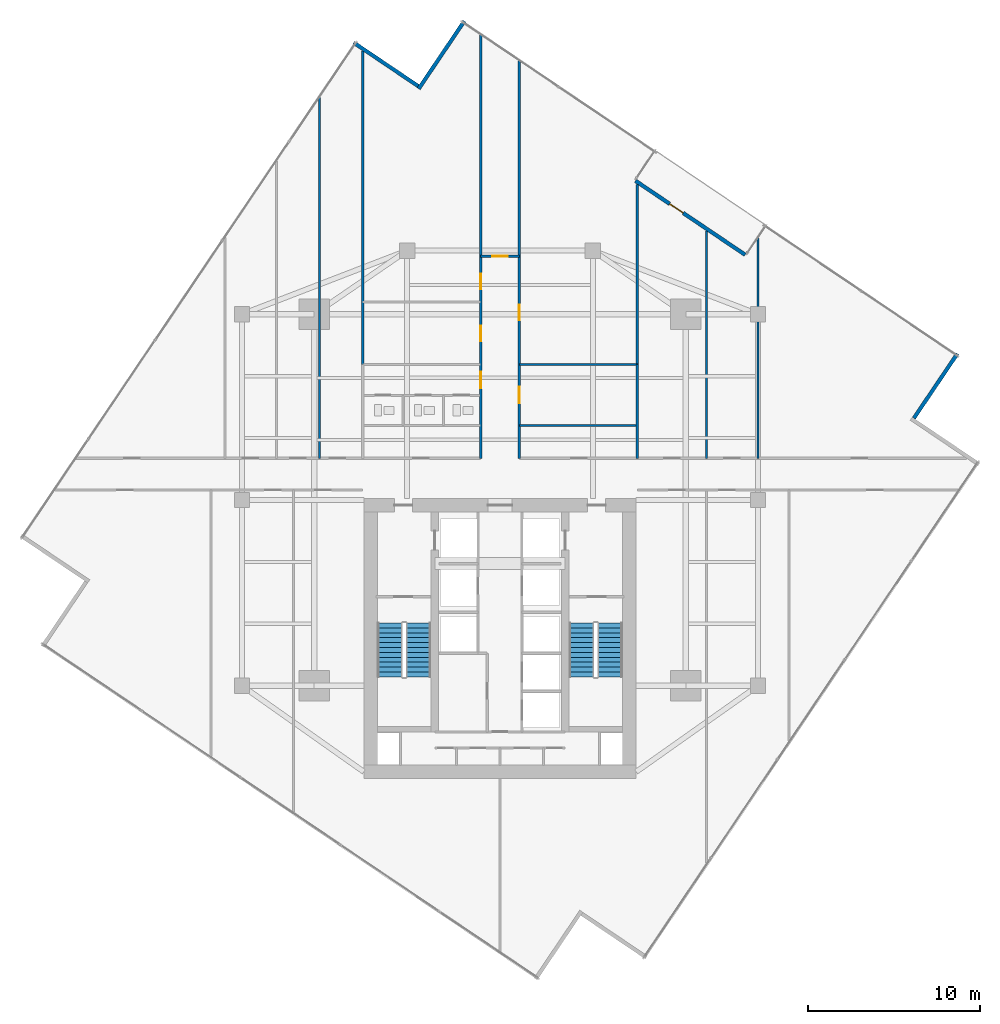
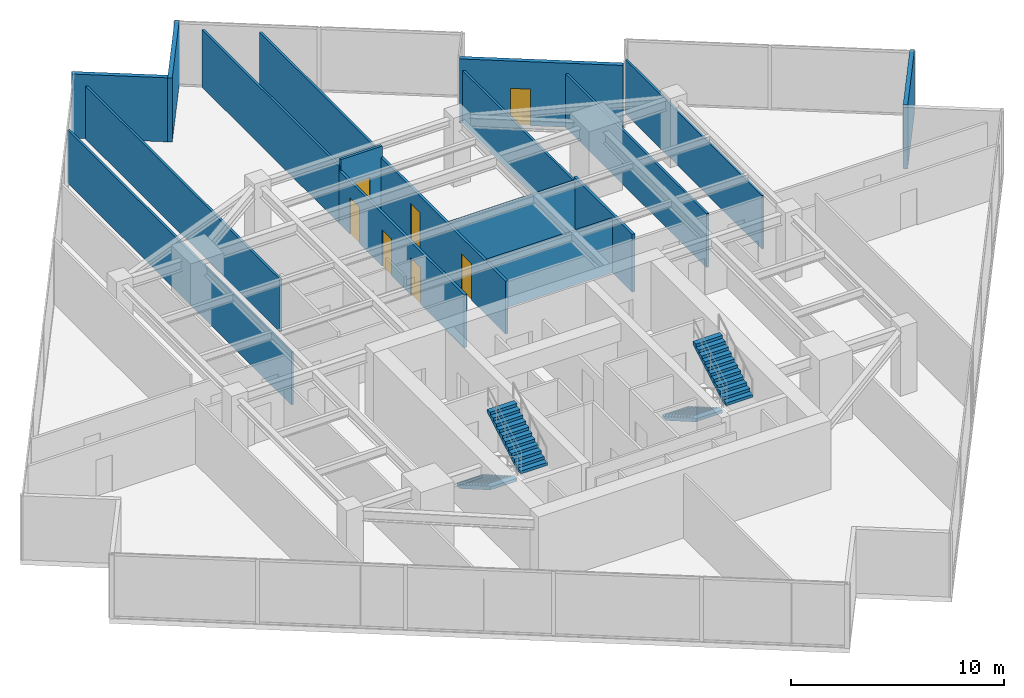
# One storey, part 25 of 27: 17 walls, 7 doors, 4 stair flights, 7 openings, 2 elements without a shape of their own.
"""IFC4 building model written with IfcOpenShell, lengths in metres."""

from ifc_helpers import new_model, si_unit, direction, frame, frame_2d, origin, place, context, subcontext, project, spatial, polyline, rectangle, outline, extrude, material, layer, layer_set, type_object, element, fill, aggregate, save


model = new_model("IFC4")

# Units and contexts
model_context = context("Model", 3, precision=1e-05, world=origin(), true_north=direction((0.0, 1.0)))
body_context = subcontext(model_context, "Body", "Model", "MODEL_VIEW")
ifc_project = project(units=[si_unit("LENGTHUNIT", "METRE"), si_unit("AREAUNIT", "SQUARE_METRE"), si_unit("VOLUMEUNIT", "CUBIC_METRE"), si_unit("PLANEANGLEUNIT", "RADIAN"), si_unit("MASSUNIT", "GRAM", prefix="KILO")], contexts=[model_context])

# Site, building, storey
site_placement = place(None, origin())
site = spatial("IfcSite", under=ifc_project, at=site_placement, CompositionType="ELEMENT")
building_placement = place(site_placement, origin())
building = spatial("IfcBuilding", under=site, at=building_placement, Name="Krantzveldt Concourse Tower", CompositionType="ELEMENT")
storey_placement = place(building_placement, frame((0.0, 0.0, 185.699951171875)))
storey = spatial("IfcBuildingStorey", under=building, at=storey_placement, Name="L45", CompositionType="ELEMENT", Elevation=185.699951171875)

# Walls
ifc_material_1 = material(Name="Anodised aluminium 6063-T6", Category="aluminium")
ifc_layer_1 = layer(ifc_material_1, 0.219970703125, Name="Anodised aluminium 6063-T6", Category="aluminium")
ifc_layer_set_1 = layer_set([ifc_layer_1], Name="Anodised aluminium 6063-T6 (WL-EXT-NOTCH220)")
wall_type_1 = type_object("IfcWallType", Name="WL-EXT-NOTCH220", PredefinedType="ELEMENTEDWALL", material=ifc_layer_set_1)
for number, where, z_axis, x_axis, name in (
    (1, (31.2431640625, 50.763916015625, 0.0), (0.0, 0.0, 1.0), (-0.829025013232, 0.559211522982, 0.0), "EW-L45-NCH00"),
    (2, (60.06396484375, 31.456787109375, 0.0), (0.0, 0.0, 1.0), (0.559211522982, 0.829025013232, 0.0), "EW-L45-NCH09"),
):
    element("IfcWall", number, at=place(storey_placement, frame(where, z_axis=z_axis, x_axis=x_axis)), inside=storey, type_object=wall_type_1, Name=name, PredefinedType="ELEMENTEDWALL", context=body_context, shape_type="SweptSolid", body=[
        extrude(rectangle(XDim=4.525146484375, YDim=0.219970703125, at=frame_2d((2.2626953125, 0.0))), origin(), (0.0, 0.0, 1.0), 3.670166015625),
    ])

# Wall, opening, door
wall_1_placement = place(storey_placement, frame((43.878662109375, 45.2568359375, 0.0), z_axis=(0.0, 0.0, 1.0), x_axis=(0.829039271094, -0.559190385274, 0.0)))
wall_1 = element("IfcWall", 3, at=wall_1_placement, inside=storey, type_object=wall_type_1, Name="EW-L45-TSLOT", PredefinedType="ELEMENTEDWALL", context=body_context, shape_type="SweptSolid", body=[
    extrude(rectangle(XDim=7.690185546875, YDim=0.219970703125, at=frame_2d((3.84521484375, 0.0))), origin(), (0.0, 0.0, 1.0), 3.670166015625),
])
opening_1_placement = place(wall_1_placement, frame((2.396728515625, 0.0, 0.0)))
opening_1 = element("IfcOpeningElement", 4, at=opening_1_placement, cuts=wall_1, Name="Opening D-EX95", PredefinedType="OPENING", context=body_context, shape_type="SweptSolid", body=[
    extrude(rectangle(XDim=0.949951171875, YDim=2.10009765625, at=frame_2d((0.47509765625, 1.050048828125))), frame((0.0, 0.1201171875, 0.0), z_axis=(0.0, -1.0, 0.0), x_axis=(1.0, 0.0, 0.0)), (0.0, 0.0, 1.0), 0.239990234375),
])
door_type_1 = type_object("IfcDoorType", Name="DR-EXT-950", OperationType="SINGLE_SWING_LEFT", PredefinedType="DOOR", material=ifc_material_1)
door_1_placement = place(opening_1_placement, origin())
door_1 = element("IfcDoor", 5, at=door_1_placement, inside=storey, type_object=door_type_1, Name="DR-L45-TERR", OperationType="SINGLE_SWING_LEFT", OverallHeight=2.10009765625, OverallWidth=0.949951171875, PredefinedType="DOOR", context=body_context, shape_type="SweptSolid", body=[
    extrude(rectangle(XDim=0.949951171875, YDim=2.10009765625, at=frame_2d((0.47509765625, 1.050048828125))), frame((0.0, 0.02490234375, 0.0), z_axis=(0.0, -1.0, 0.0), x_axis=(1.0, 0.0, 0.0)), (0.0, 0.0, 1.0), 0.050048828125),
])
fill(opening_1, door_1)

# Walls
wall_2_placement = place(storey_placement, frame((33.92626953125, 54.545166015625, 0.0), z_axis=(0.0, 0.0, 1.0), x_axis=(-0.559180323614, -0.829046057637, 0.0)))
element("IfcWall", 6, at=wall_2_placement, inside=storey, type_object=wall_type_1, Name="EW-L45-NCH15", PredefinedType="ELEMENTEDWALL", context=body_context, shape_type="SweptSolid", body=[
    extrude(rectangle(XDim=4.7451171875, YDim=0.219970703125, at=frame_2d((2.37255859375, 0.0))), origin(), (0.0, 0.0, 1.0), 3.670166015625),
])
ifc_material_2 = material(Name="Fire-rated gypsum plasterboard on steel stud", Category="steel")
ifc_layer_2 = layer(ifc_material_2, 0.1201171875, Name="Fire-rated gypsum plasterboard on steel stud", Category="steel")
ifc_layer_set_2 = layer_set([ifc_layer_2], Name="Fire-rated gypsum plasterboard on steel stud (WL-PART-120)")
wall_type_2 = type_object("IfcWallType", Name="WL-PART-120", PredefinedType="PARTITIONING", material=ifc_layer_set_2)
wall_3_placement = place(storey_placement, frame((37.1201171875, 31.02001953125, 0.0), z_axis=(0.0, 0.0, 1.0), x_axis=(1.0, 0.0, 0.0)))
element("IfcWall", 7, at=wall_3_placement, inside=storey, type_object=wall_type_2, Name="WP-L45-ISMR", PredefinedType="PARTITIONING", context=body_context, shape_type="SweptSolid", body=[
    extrude(rectangle(XDim=6.85986328125, YDim=0.1201171875, at=frame_2d((3.429931640625, 0.0))), origin(), (0.0, 0.0, 1.0), 3.080078125),
])
wall_4_placement = place(storey_placement, frame((34.8798828125, 40.8798828125, 0.0), z_axis=(0.0, 0.0, 1.0), x_axis=(0.0, 1.0, 0.0)))
element("IfcWall", 8, at=wall_4_placement, inside=storey, type_object=wall_type_2, Name="WP-L45-NTL", PredefinedType="PARTITIONING", context=body_context, shape_type="SweptSolid", body=[
    extrude(rectangle(XDim=12.88330078125, YDim=0.1201171875, at=frame_2d((6.441650390625, 0.0))), origin(), (0.0, 0.0, 1.0), 3.280029296875),
])
wall_5_placement = place(storey_placement, frame((37.1201171875, 40.8798828125, 0.0), z_axis=(0.0, 0.0, 1.0), x_axis=(0.0, 1.0, 0.0)))
element("IfcWall", 9, at=wall_5_placement, inside=storey, type_object=wall_type_2, Name="WP-L45-NTR", PredefinedType="PARTITIONING", context=body_context, shape_type="SweptSolid", body=[
    extrude(rectangle(XDim=11.372314453125, YDim=0.1201171875, at=frame_2d((5.68603515625, 0.0))), origin(), (0.0, 0.0, 1.0), 3.280029296875),
])
wall_6_placement = place(storey_placement, frame((25.5, 29.1201171875, 0.0), z_axis=(0.0, 0.0, 1.0), x_axis=(0.0, 1.0, 0.0)))
element("IfcWall", 10, at=wall_6_placement, inside=storey, type_object=wall_type_2, Name="WP-L45-NWX3", PredefinedType="PARTITIONING", context=body_context, shape_type="SweptSolid", body=[
    extrude(rectangle(XDim=21.015625, YDim=0.1201171875, at=frame_2d((10.5078125, 0.0))), origin(), (0.0, 0.0, 1.0), 3.030029296875),
])
wall_7_placement = place(storey_placement, frame((28.02001953125, 34.580078125, 0.0), z_axis=(0.0, 0.0, 1.0), x_axis=(0.0, 1.0, 0.0)))
element("IfcWall", 11, at=wall_7_placement, inside=storey, type_object=wall_type_2, Name="WP-L45-ISWL2", PredefinedType="PARTITIONING", context=body_context, shape_type="SweptSolid", body=[
    extrude(rectangle(XDim=18.21923828125, YDim=0.1201171875, at=frame_2d((9.109619140625, 0.0))), origin(), (0.0, 0.0, 1.0), 3.030029296875),
])
wall_8_placement = place(storey_placement, frame((43.97998046875, 34.580078125, 0.0), z_axis=(0.0, 0.0, 1.0), x_axis=(0.0, 1.0, 0.0)))
element("IfcWall", 12, at=wall_8_placement, inside=storey, type_object=wall_type_2, Name="WP-L45-ISER2", PredefinedType="PARTITIONING", context=body_context, shape_type="SweptSolid", body=[
    extrude(rectangle(XDim=10.4697265625, YDim=0.1201171875, at=frame_2d((5.23486328125, 0.0))), origin(), (0.0, 0.0, 1.0), 3.030029296875),
])
wall_9_placement = place(storey_placement, frame((48.0, 29.1201171875, 0.0), z_axis=(0.0, 0.0, 1.0), x_axis=(0.0, 1.0, 0.0)))
element("IfcWall", 13, at=wall_9_placement, inside=storey, type_object=wall_type_2, Name="WP-L45-NEX1", PredefinedType="PARTITIONING", context=body_context, shape_type="SweptSolid", body=[
    extrude(rectangle(XDim=13.218017578125, YDim=0.1201171875, at=frame_2d((6.60888671875, 0.0))), origin(), (0.0, 0.0, 1.0), 3.080078125),
])
wall_10_placement = place(storey_placement, frame((51.0, 29.1201171875, 0.0), z_axis=(0.0, 0.0, 1.0), x_axis=(0.0, 1.0, 0.0)))
element("IfcWall", 14, at=wall_10_placement, inside=storey, type_object=wall_type_2, Name="WP-L45-NEX2", PredefinedType="PARTITIONING", context=body_context, shape_type="SweptSolid", body=[
    extrude(rectangle(XDim=12.86181640625, YDim=0.1201171875, at=frame_2d((6.430908203125, 0.0))), origin(), (0.0, 0.0, 1.0), 3.080078125),
])

# Wall, openings, doors
ifc_layer_3 = layer(ifc_material_2, 0.139892578125, Name="Fire-rated gypsum plasterboard on steel stud", Category="steel")
ifc_layer_set_3 = layer_set([ifc_layer_3], Name="Fire-rated gypsum plasterboard on steel stud (WL-PART-140)")
wall_type_3 = type_object("IfcWallType", Name="WL-PART-140", PredefinedType="PARTITIONING", material=ifc_layer_set_3)
wall_11_placement = place(storey_placement, frame((34.8798828125, 29.1201171875, 0.0), z_axis=(0.0, 0.0, 1.0), x_axis=(0.0, 1.0, 0.0)))
wall_11 = element("IfcWall", 15, at=wall_11_placement, inside=storey, type_object=wall_type_3, Name="WP-L45-SPWL", PredefinedType="PARTITIONING", context=body_context, shape_type="SweptSolid", body=[
    extrude(rectangle(XDim=11.759765625, YDim=0.139892578125, at=frame_2d((5.8798828125, 0.0))), origin(), (0.0, 0.0, 1.0), 3.030029296875),
])
opening_2_placement = place(wall_11_placement, frame((4.0849609375, 0.0, 0.0)))
opening_2 = element("IfcOpeningElement", 16, at=opening_2_placement, cuts=wall_11, Name="Opening D-IN095", PredefinedType="OPENING", context=body_context, shape_type="SweptSolid", body=[
    extrude(rectangle(XDim=0.949951171875, YDim=2.10009765625, at=frame_2d((0.47509765625, 1.050048828125))), frame((0.0, 0.080078125, 0.0), z_axis=(0.0, -1.0, 0.0), x_axis=(1.0, 0.0, 0.0)), (0.0, 0.0, 1.0), 0.159912109375),
])
opening_3_placement = place(wall_11_placement, frame((6.820068359375, 0.0, 0.0)))
opening_3 = element("IfcOpeningElement", 17, at=opening_3_placement, cuts=wall_11, Name="Opening D-IN090", PredefinedType="OPENING", context=body_context, shape_type="SweptSolid", body=[
    extrude(rectangle(XDim=0.89990234375, YDim=2.10009765625, at=frame_2d((0.449951171875, 1.050048828125))), frame((0.0, 0.080078125, 0.0), z_axis=(0.0, -1.0, 0.0), x_axis=(1.0, 0.0, 0.0)), (0.0, 0.0, 1.0), 0.159912109375),
])
opening_4_placement = place(wall_11_placement, frame((9.830078125, 0.0, 0.0)))
opening_4 = element("IfcOpeningElement", 18, at=opening_4_placement, cuts=wall_11, Name="Opening D-IN090", PredefinedType="OPENING", context=body_context, shape_type="SweptSolid", body=[
    extrude(rectangle(XDim=0.89990234375, YDim=2.10009765625, at=frame_2d((0.449951171875, 1.050048828125))), frame((0.0, 0.080078125, 0.0), z_axis=(0.0, -1.0, 0.0), x_axis=(1.0, 0.0, 0.0)), (0.0, 0.0, 1.0), 0.159912109375),
])
ifc_material_3 = material(Name="Hardwood timber", Category="wood")
door_type_2 = type_object("IfcDoorType", Name="DR-INT-900", OperationType="SINGLE_SWING_LEFT", PredefinedType="DOOR", material=ifc_material_3)
door_2_placement = place(opening_3_placement, origin())
door_2 = element("IfcDoor", 19, at=door_2_placement, inside=storey, type_object=door_type_2, Name="DR-L45-NWI1", OperationType="SINGLE_SWING_LEFT", OverallHeight=2.10009765625, OverallWidth=0.89990234375, PredefinedType="DOOR", context=body_context, shape_type="SweptSolid", body=[
    extrude(rectangle(XDim=0.89990234375, YDim=2.10009765625, at=frame_2d((0.449951171875, 1.050048828125))), frame((0.0, 0.02490234375, 0.0), z_axis=(0.0, -1.0, 0.0), x_axis=(1.0, 0.0, 0.0)), (0.0, 0.0, 1.0), 0.050048828125),
])
fill(opening_3, door_2)
door_3_placement = place(opening_4_placement, origin())
door_3 = element("IfcDoor", 20, at=door_3_placement, inside=storey, type_object=door_type_2, Name="DR-L45-NWI2", OperationType="SINGLE_SWING_LEFT", OverallHeight=2.10009765625, OverallWidth=0.89990234375, PredefinedType="DOOR", context=body_context, shape_type="SweptSolid", body=[
    extrude(rectangle(XDim=0.89990234375, YDim=2.10009765625, at=frame_2d((0.449951171875, 1.050048828125))), frame((0.0, 0.02490234375, 0.0), z_axis=(0.0, -1.0, 0.0), x_axis=(1.0, 0.0, 0.0)), (0.0, 0.0, 1.0), 0.050048828125),
])
fill(opening_4, door_3)
door_type_3 = type_object("IfcDoorType", Name="DR-INT-950", OperationType="SINGLE_SWING_LEFT", PredefinedType="DOOR", material=ifc_material_3)
door_4_placement = place(opening_2_placement, origin())
door_4 = element("IfcDoor", 21, at=door_4_placement, inside=storey, type_object=door_type_3, Name="DR-L45-WCLB", OperationType="SINGLE_SWING_LEFT", OverallHeight=2.10009765625, OverallWidth=0.949951171875, PredefinedType="DOOR", context=body_context, shape_type="SweptSolid", body=[
    extrude(rectangle(XDim=0.949951171875, YDim=2.10009765625, at=frame_2d((0.47509765625, 1.050048828125))), frame((0.0, 0.02490234375, 0.0), z_axis=(0.0, -1.0, 0.0), x_axis=(1.0, 0.0, 0.0)), (0.0, 0.0, 1.0), 0.050048828125),
])
fill(opening_2, door_4)

wall_12_placement = place(storey_placement, frame((37.1201171875, 29.1201171875, 0.0), z_axis=(0.0, 0.0, 1.0), x_axis=(0.0, 1.0, 0.0)))
wall_12 = element("IfcWall", 22, at=wall_12_placement, inside=storey, type_object=wall_type_3, Name="WP-L45-SPER", PredefinedType="PARTITIONING", context=body_context, shape_type="SweptSolid", body=[
    extrude(rectangle(XDim=11.759765625, YDim=0.139892578125, at=frame_2d((5.8798828125, 0.0))), origin(), (0.0, 0.0, 1.0), 3.030029296875),
])
opening_5_placement = place(wall_12_placement, frame((3.205078125, 0.0, 0.0)))
opening_5 = element("IfcOpeningElement", 23, at=opening_5_placement, cuts=wall_12, Name="Opening D-IN095", PredefinedType="OPENING", context=body_context, shape_type="SweptSolid", body=[
    extrude(rectangle(XDim=0.949951171875, YDim=2.10009765625, at=frame_2d((0.47509765625, 1.050048828125))), frame((0.0, 0.080078125, 0.0), z_axis=(0.0, -1.0, 0.0), x_axis=(1.0, 0.0, 0.0)), (0.0, 0.0, 1.0), 0.159912109375),
])
opening_6_placement = place(wall_12_placement, frame((8.02001953125, 0.0, 0.0)))
opening_6 = element("IfcOpeningElement", 24, at=opening_6_placement, cuts=wall_12, Name="Opening D-IN090", PredefinedType="OPENING", context=body_context, shape_type="SweptSolid", body=[
    extrude(rectangle(XDim=0.89990234375, YDim=2.10009765625, at=frame_2d((0.449951171875, 1.050048828125))), frame((0.0, 0.080078125, 0.0), z_axis=(0.0, -1.0, 0.0), x_axis=(1.0, 0.0, 0.0)), (0.0, 0.0, 1.0), 0.159912109375),
])
door_5_placement = place(opening_6_placement, origin())
door_5 = element("IfcDoor", 25, at=door_5_placement, inside=storey, type_object=door_type_2, Name="DR-L45-NEI1", OperationType="SINGLE_SWING_LEFT", OverallHeight=2.10009765625, OverallWidth=0.89990234375, PredefinedType="DOOR", context=body_context, shape_type="SweptSolid", body=[
    extrude(rectangle(XDim=0.89990234375, YDim=2.10009765625, at=frame_2d((0.449951171875, 1.050048828125))), frame((0.0, 0.02490234375, 0.0), z_axis=(0.0, -1.0, 0.0), x_axis=(1.0, 0.0, 0.0)), (0.0, 0.0, 1.0), 0.050048828125),
])
fill(opening_6, door_5)
door_6_placement = place(opening_5_placement, origin())
door_6 = element("IfcDoor", 26, at=door_6_placement, inside=storey, type_object=door_type_3, Name="DR-L45-PNT", OperationType="SINGLE_SWING_RIGHT", OverallHeight=2.10009765625, OverallWidth=0.949951171875, PredefinedType="DOOR", context=body_context, shape_type="SweptSolid", body=[
    extrude(rectangle(XDim=0.949951171875, YDim=2.10009765625, at=frame_2d((0.47509765625, 1.050048828125))), frame((0.0, 0.02490234375, 0.0), z_axis=(0.0, -1.0, 0.0), x_axis=(1.0, 0.0, 0.0)), (0.0, 0.0, 1.0), 0.050048828125),
])
fill(opening_5, door_6)

# Wall, opening, door
wall_13_placement = place(storey_placement, frame((34.8798828125, 40.8798828125, 0.0), z_axis=(0.0, 0.0, 1.0), x_axis=(1.0, 0.0, 0.0)))
wall_13 = element("IfcWall", 27, at=wall_13_placement, inside=storey, type_object=wall_type_3, Name="WP-L45-SPTOP", PredefinedType="PARTITIONING", context=body_context, shape_type="SweptSolid", body=[
    extrude(rectangle(XDim=2.240234375, YDim=0.139892578125, at=frame_2d((1.1201171875, 0.0))), origin(), (0.0, 0.0, 1.0), 3.670166015625),
])
opening_7_placement = place(wall_13_placement, frame((0.669921875, 0.0, 0.0)))
opening_7 = element("IfcOpeningElement", 28, at=opening_7_placement, cuts=wall_13, Name="Opening D-IN090", PredefinedType="OPENING", context=body_context, shape_type="SweptSolid", body=[
    extrude(rectangle(XDim=0.89990234375, YDim=2.10009765625, at=frame_2d((0.449951171875, 1.050048828125))), frame((0.0, 0.080078125, 0.0), z_axis=(0.0, -1.0, 0.0), x_axis=(1.0, 0.0, 0.0)), (0.0, 0.0, 1.0), 0.159912109375),
])
door_7_placement = place(opening_7_placement, origin())
door_7 = element("IfcDoor", 29, at=door_7_placement, inside=storey, type_object=door_type_2, Name="DR-L45-NTOP", OperationType="SINGLE_SWING_LEFT", OverallHeight=2.10009765625, OverallWidth=0.89990234375, PredefinedType="DOOR", context=body_context, shape_type="SweptSolid", body=[
    extrude(rectangle(XDim=0.89990234375, YDim=2.10009765625, at=frame_2d((0.449951171875, 1.050048828125))), frame((0.0, 0.02490234375, 0.0), z_axis=(0.0, -1.0, 0.0), x_axis=(1.0, 0.0, 0.0)), (0.0, 0.0, 1.0), 0.050048828125),
])
fill(opening_7, door_7)

# Walls
wall_14_placement = place(storey_placement, frame((37.1201171875, 34.580078125, 0.0), z_axis=(0.0, 0.0, 1.0), x_axis=(1.0, 0.0, 0.0)))
element("IfcWall", 30, at=wall_14_placement, inside=storey, type_object=wall_type_3, Name="WP-L45-ISNR", PredefinedType="PARTITIONING", context=body_context, shape_type="SweptSolid", body=[
    extrude(rectangle(XDim=6.85986328125, YDim=0.139892578125, at=frame_2d((3.429931640625, 0.0))), origin(), (0.0, 0.0, 1.0), 3.080078125),
])
wall_15_placement = place(storey_placement, frame((43.97998046875, 29.1201171875, 0.0), z_axis=(0.0, 0.0, 1.0), x_axis=(0.0, 1.0, 0.0)))
element("IfcWall", 31, at=wall_15_placement, inside=storey, type_object=wall_type_3, Name="WP-L45-ISER", PredefinedType="PARTITIONING", context=body_context, shape_type="SweptSolid", body=[
    extrude(rectangle(XDim=5.4599609375, YDim=0.139892578125, at=frame_2d((2.72998046875, 0.0))), origin(), (0.0, 0.0, 1.0), 3.31005859375),
])

# Stair, stair flights
ifc_material_4 = material(Name="Precast concrete C40/50", Category="concrete")
stair_type = type_object("IfcStairType", Name="STR-CORE-DOGLEG", PredefinedType="HALF_TURN_STAIR", material=ifc_material_4)
stair_1_placement = place(storey_placement, origin())
stair_1 = element("IfcStair", 32, at=stair_1_placement, inside=storey, type_object=stair_type, Name="L45 Protected Escape Stair ST-1", PredefinedType="HALF_TURN_STAIR")
stair_flight_type = type_object("IfcStairFlightType", Name="STF-CORE-1450", PredefinedType="STRAIGHT", material=ifc_material_4)
stair_flight_1_placement = place(storey_placement, frame((29.60498046875, 19.550048828125, 0.0), z_axis=(0.0, 0.0, 1.0), x_axis=(0.0, -1.0, 0.0)))
stair_flight_1 = element("IfcStairFlight", 33, at=stair_flight_1_placement, type_object=stair_flight_type, Name="ST-1 flight 1", NumberOfRisers=12, NumberOfTreads=11, PredefinedType="STRAIGHT", RiserHeight=0.164583333, TreadLength=0.285, context=body_context, shape_type="SweptSolid", body=[
    extrude(outline(polyline([(0.0, 0.0), (0.0, 0.16455078125), (0.284912109375, 0.16455078125), (0.284912109375, 0.3291015625), (0.570068359375, 0.3291015625), (0.570068359375, 0.49365234375), (0.85498046875, 0.49365234375), (0.85498046875, 0.658447265625), (1.139892578125, 0.658447265625), (1.139892578125, 0.822998046875), (1.425048828125, 0.822998046875), (1.425048828125, 0.987548828125), (1.7099609375, 0.987548828125), (1.7099609375, 1.152099609375), (1.9951171875, 1.152099609375), (1.9951171875, 1.316650390625), (2.280029296875, 1.316650390625), (2.280029296875, 1.481201171875), (2.56494140625, 1.481201171875), (2.56494140625, 1.645751953125), (2.85009765625, 1.645751953125), (2.85009765625, 1.810302734375), (3.135009765625, 1.810302734375), (3.135009765625, 1.97509765625), (3.135009765625, 1.63720703125), (0.2998046875, 0.0), (0.0, 0.0)])), frame((0.0, 0.72509765625, 0.0), z_axis=(0.0, -1.0, 0.0), x_axis=(1.0, 0.0, 0.0)), (0.0, 0.0, 1.0), 1.449951171875),
])
stair_flight_2_placement = place(storey_placement, frame((31.2548828125, 16.4150390625, 1.97509765625), z_axis=(0.0, 0.0, 1.0), x_axis=(0.0, 1.0, 0.0)))
stair_flight_2 = element("IfcStairFlight", 34, at=stair_flight_2_placement, type_object=stair_flight_type, Name="ST-1 flight 2", NumberOfRisers=12, NumberOfTreads=11, PredefinedType="STRAIGHT", RiserHeight=0.164583333, TreadLength=0.285, context=body_context, shape_type="SweptSolid", body=[
    extrude(outline(polyline([(0.0, 0.0), (0.0, 0.16455078125), (0.284912109375, 0.16455078125), (0.284912109375, 0.3291015625), (0.570068359375, 0.3291015625), (0.570068359375, 0.49365234375), (0.85498046875, 0.49365234375), (0.85498046875, 0.658447265625), (1.139892578125, 0.658447265625), (1.139892578125, 0.822998046875), (1.425048828125, 0.822998046875), (1.425048828125, 0.987548828125), (1.7099609375, 0.987548828125), (1.7099609375, 1.152099609375), (1.9951171875, 1.152099609375), (1.9951171875, 1.316650390625), (2.280029296875, 1.316650390625), (2.280029296875, 1.481201171875), (2.56494140625, 1.481201171875), (2.56494140625, 1.645751953125), (2.85009765625, 1.645751953125), (2.85009765625, 1.810302734375), (3.135009765625, 1.810302734375), (3.135009765625, 1.97509765625), (3.135009765625, 1.63720703125), (0.2998046875, 0.0), (0.0, 0.0)])), frame((0.0, 0.72509765625, 0.0), z_axis=(0.0, -1.0, 0.0), x_axis=(1.0, 0.0, 0.0)), (0.0, 0.0, 1.0), 1.449951171875),
])
aggregate(stair_1, [stair_flight_1, stair_flight_2])

stair_2_placement = place(storey_placement, origin())
stair_2 = element("IfcStair", 35, at=stair_2_placement, inside=storey, type_object=stair_type, Name="L45 Protected Escape Stair ST-2", PredefinedType="HALF_TURN_STAIR")
stair_flight_3_placement = place(storey_placement, frame((40.7451171875, 19.550048828125, 0.0), z_axis=(0.0, 0.0, 1.0), x_axis=(0.0, -1.0, 0.0)))
stair_flight_3 = element("IfcStairFlight", 36, at=stair_flight_3_placement, type_object=stair_flight_type, Name="ST-2 flight 1", NumberOfRisers=12, NumberOfTreads=11, PredefinedType="STRAIGHT", RiserHeight=0.164583333, TreadLength=0.285, context=body_context, shape_type="SweptSolid", body=[
    extrude(outline(polyline([(0.0, 0.0), (0.0, 0.16455078125), (0.284912109375, 0.16455078125), (0.284912109375, 0.3291015625), (0.570068359375, 0.3291015625), (0.570068359375, 0.49365234375), (0.85498046875, 0.49365234375), (0.85498046875, 0.658447265625), (1.139892578125, 0.658447265625), (1.139892578125, 0.822998046875), (1.425048828125, 0.822998046875), (1.425048828125, 0.987548828125), (1.7099609375, 0.987548828125), (1.7099609375, 1.152099609375), (1.9951171875, 1.152099609375), (1.9951171875, 1.316650390625), (2.280029296875, 1.316650390625), (2.280029296875, 1.481201171875), (2.56494140625, 1.481201171875), (2.56494140625, 1.645751953125), (2.85009765625, 1.645751953125), (2.85009765625, 1.810302734375), (3.135009765625, 1.810302734375), (3.135009765625, 1.97509765625), (3.135009765625, 1.63720703125), (0.2998046875, 0.0), (0.0, 0.0)])), frame((0.0, 0.72509765625, 0.0), z_axis=(0.0, -1.0, 0.0), x_axis=(1.0, 0.0, 0.0)), (0.0, 0.0, 1.0), 1.449951171875),
])
stair_flight_4_placement = place(storey_placement, frame((42.39501953125, 16.4150390625, 1.97509765625), z_axis=(0.0, 0.0, 1.0), x_axis=(0.0, 1.0, 0.0)))
stair_flight_4 = element("IfcStairFlight", 37, at=stair_flight_4_placement, type_object=stair_flight_type, Name="ST-2 flight 2", NumberOfRisers=12, NumberOfTreads=11, PredefinedType="STRAIGHT", RiserHeight=0.164583333, TreadLength=0.285, context=body_context, shape_type="SweptSolid", body=[
    extrude(outline(polyline([(0.0, 0.0), (0.0, 0.16455078125), (0.284912109375, 0.16455078125), (0.284912109375, 0.3291015625), (0.570068359375, 0.3291015625), (0.570068359375, 0.49365234375), (0.85498046875, 0.49365234375), (0.85498046875, 0.658447265625), (1.139892578125, 0.658447265625), (1.139892578125, 0.822998046875), (1.425048828125, 0.822998046875), (1.425048828125, 0.987548828125), (1.7099609375, 0.987548828125), (1.7099609375, 1.152099609375), (1.9951171875, 1.152099609375), (1.9951171875, 1.316650390625), (2.280029296875, 1.316650390625), (2.280029296875, 1.481201171875), (2.56494140625, 1.481201171875), (2.56494140625, 1.645751953125), (2.85009765625, 1.645751953125), (2.85009765625, 1.810302734375), (3.135009765625, 1.810302734375), (3.135009765625, 1.97509765625), (3.135009765625, 1.63720703125), (0.2998046875, 0.0), (0.0, 0.0)])), frame((0.0, 0.72509765625, 0.0), z_axis=(0.0, -1.0, 0.0), x_axis=(1.0, 0.0, 0.0)), (0.0, 0.0, 1.0), 1.449951171875),
])
aggregate(stair_2, [stair_flight_3, stair_flight_4])

save(model, "model.ifc")
